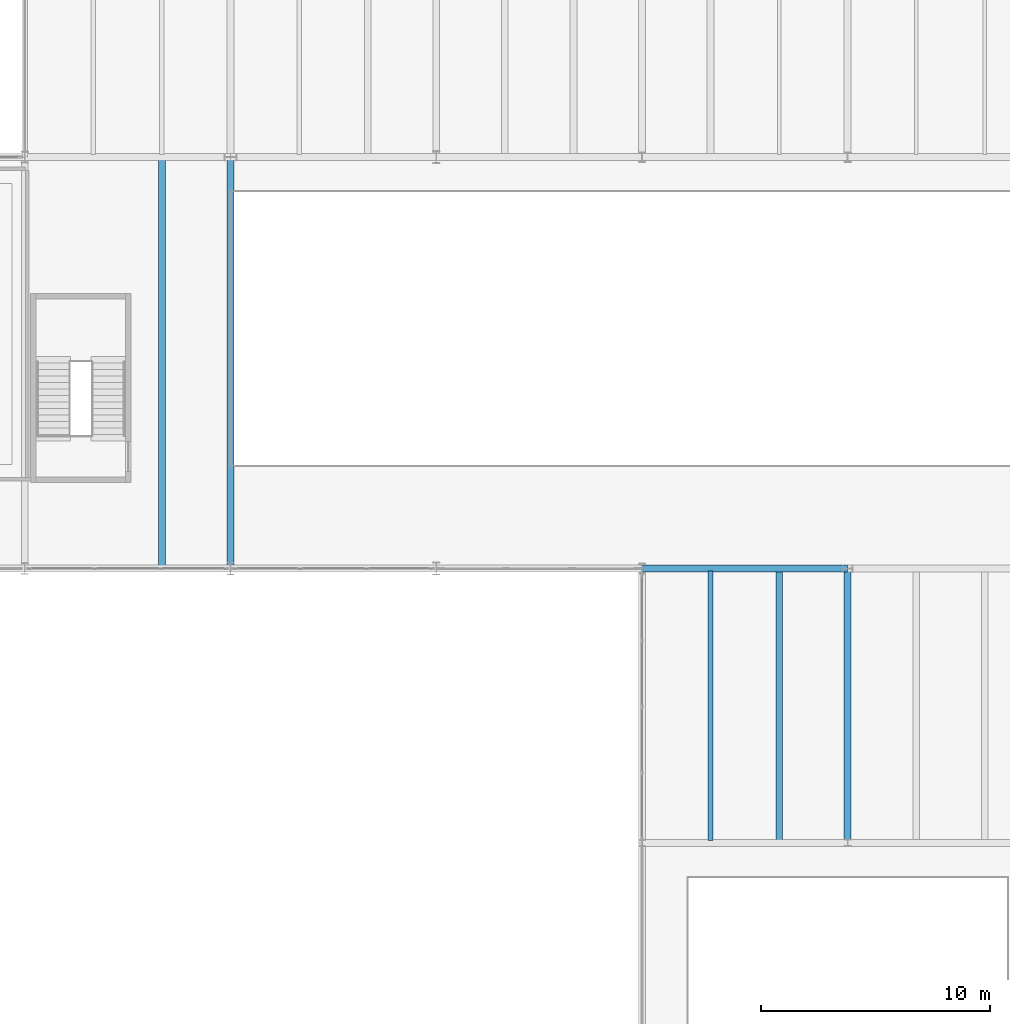
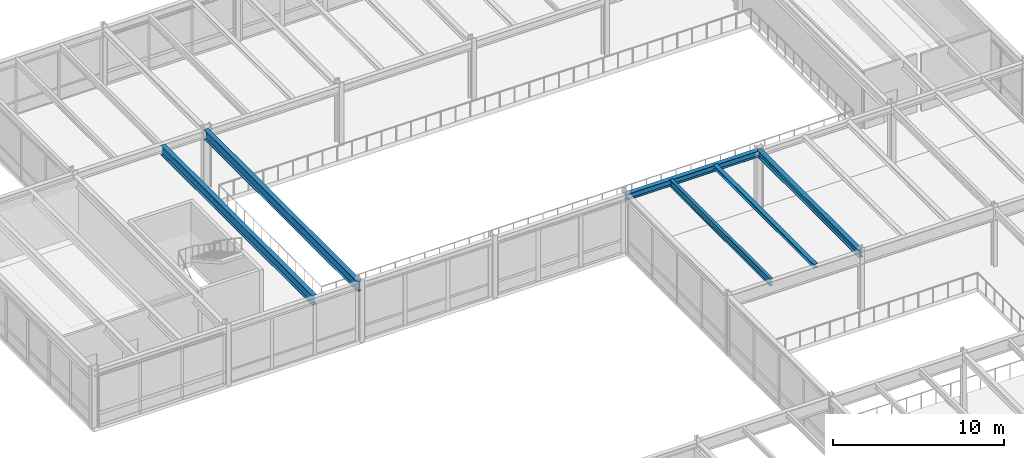
# One storey, part 55 of 127: 6 beams.
"""IFC4 building model written with IfcOpenShell, lengths in metres."""

from ifc_helpers import new_model, si_unit, direction, frame, origin, origin_2d, place, context, subcontext, project, spatial, i_section, extrude, material, material_profile, profile_set, type_object, element, save


model = new_model("IFC4")

# Units and contexts
model_context = context("Model", 3, precision=1e-05, world=origin(), true_north=direction((0.0, 1.0)))
body_context = subcontext(model_context, "Body", "Model", "MODEL_VIEW")
ifc_project = project(units=[si_unit("LENGTHUNIT", "METRE"), si_unit("AREAUNIT", "SQUARE_METRE"), si_unit("VOLUMEUNIT", "CUBIC_METRE"), si_unit("PLANEANGLEUNIT", "RADIAN"), si_unit("MASSUNIT", "GRAM", prefix="KILO")], contexts=[model_context])

# Site, building, storey
site_placement = place(None, origin())
site = spatial("IfcSite", under=ifc_project, at=site_placement, CompositionType="ELEMENT")
building_placement = place(site_placement, origin())
building = spatial("IfcBuilding", under=site, at=building_placement, Name="Montelvaro Courts of Justice", CompositionType="ELEMENT")
storey_placement = place(building_placement, frame((0.0, 0.0, 5.39990234375)))
storey = spatial("IfcBuildingStorey", under=building, at=storey_placement, Name="L01", CompositionType="ELEMENT", Elevation=5.39990234375)

# Beams
ifc_material = material(Name="Steel S355", Category="steel")
ifc_material_profile_1 = material_profile(ifc_material, i_section(OverallWidth=0.280029296875, OverallDepth=0.27001953125, WebThickness=0.008056640625, FlangeThickness=0.012939453125, at=origin_2d()), Name="HEA 280")
ifc_profile_set_1 = profile_set([ifc_material_profile_1], Name="Steel S355")
beam_type_1 = type_object("IfcBeamType", Name="Beam_HEA280", PredefinedType="BEAM", material=ifc_profile_set_1)
beam_1_placement = place(storey_placement, frame((60.0, 66.110107421875, 4.085205078125), z_axis=(0.0, 1.0, 0.0), x_axis=(-1.0, 0.0, 0.0)))
element("IfcBeam", 1, at=beam_1_placement, inside=storey, type_object=beam_type_1, Name="Beam B-14 L01", PredefinedType="BEAM", context=body_context, shape_type="SweptSolid", body=[
    extrude(i_section(OverallWidth=0.280029296875, OverallDepth=0.27001953125, WebThickness=0.008056640625, FlangeThickness=0.012939453125, at=origin_2d()), origin(), (0.0, 0.0, 1.0), 11.77978515625),
])
ifc_material_profile_2 = material_profile(ifc_material, i_section(OverallWidth=0.300048828125, OverallDepth=0.43994140625, WebThickness=0.011474609375, FlangeThickness=0.02099609375, at=origin_2d()), Name="HEA 450")
ifc_profile_set_2 = profile_set([ifc_material_profile_2], Name="Steel S355")
beam_type_2 = type_object("IfcBeamType", Name="Beam_HEA450", PredefinedType="USERDEFINED", material=ifc_profile_set_2)
beam_2_placement = place(storey_placement, frame((54.0, 78.0, 3.960205078125), z_axis=(1.0, 0.0, 0.0), x_axis=(0.0, 1.0, 0.0)))
element("IfcBeam", 2, at=beam_2_placement, inside=storey, type_object=beam_type_2, Name="Beam B-18 L01", ObjectType="GIRDER", PredefinedType="USERDEFINED", context=body_context, shape_type="SweptSolid", body=[
    extrude(i_section(OverallWidth=0.300048828125, OverallDepth=0.43994140625, WebThickness=0.011474609375, FlangeThickness=0.02099609375, at=origin_2d()), origin(), (0.0, 0.0, 1.0), 9.0),
])
ifc_material_profile_3 = material_profile(ifc_material, i_section(OverallWidth=0.300048828125, OverallDepth=0.489990234375, WebThickness=0.011962890625, FlangeThickness=0.02294921875, at=origin_2d()), Name="HEA 500")
ifc_profile_set_3 = profile_set([ifc_material_profile_3], Name="Steel S355")
beam_type_3 = type_object("IfcBeamType", Name="Beam_HEA500", PredefinedType="USERDEFINED", material=ifc_profile_set_3)
beam_3_placement = place(storey_placement, frame((63.0, 66.0, 3.97509765625), z_axis=(0.0, 1.0, 0.0), x_axis=(-1.0, 0.0, 0.0)))
element("IfcBeam", 3, at=beam_3_placement, inside=storey, type_object=beam_type_3, Name="Beam B-19 L01", ObjectType="GIRDER", PredefinedType="USERDEFINED", context=body_context, shape_type="SweptSolid", body=[
    extrude(i_section(OverallWidth=0.300048828125, OverallDepth=0.489990234375, WebThickness=0.011962890625, FlangeThickness=0.02294921875, at=origin_2d()), origin(), (0.0, 0.0, 1.0), 12.0),
])
ifc_material_profile_4 = material_profile(ifc_material, i_section(OverallWidth=0.300048828125, OverallDepth=0.68994140625, WebThickness=0.014404296875, FlangeThickness=0.027099609375, at=origin_2d()), Name="HEA 700")
ifc_profile_set_4 = profile_set([ifc_material_profile_4], Name="Steel S355")
beam_type_4 = type_object("IfcBeamType", Name="Beam_HEA700", PredefinedType="USERDEFINED", material=ifc_profile_set_4)
beam_4_placement = place(storey_placement, frame((33.0, 78.110107421875, 3.835205078125), z_axis=(0.0, 1.0, 0.0), x_axis=(-1.0, 0.0, 0.0)))
element("IfcBeam", 4, at=beam_4_placement, inside=storey, type_object=beam_type_4, Name="Beam B-23 L01", ObjectType="GIRDER", PredefinedType="USERDEFINED", context=body_context, shape_type="SweptSolid", body=[
    extrude(i_section(OverallWidth=0.300048828125, OverallDepth=0.68994140625, WebThickness=0.014404296875, FlangeThickness=0.027099609375, at=origin_2d()), origin(), (0.0, 0.0, 1.0), 17.77978515625),
])
ifc_material_profile_5 = material_profile(ifc_material, i_section(OverallWidth=0.300048828125, OverallDepth=0.699951171875, WebThickness=0.01708984375, FlangeThickness=0.031982421875, at=origin_2d()), Name="HEB 700")
ifc_profile_set_5 = profile_set([ifc_material_profile_5], Name="Steel S355")
beam_type_5 = type_object("IfcBeamType", Name="Beam_HEB700", PredefinedType="USERDEFINED", material=ifc_profile_set_5)
beam_5_placement = place(storey_placement, frame((36.0, 78.0, 3.830078125), z_axis=(0.0, 1.0, 0.0), x_axis=(-1.0, 0.0, 0.0)))
element("IfcBeam", 5, at=beam_5_placement, inside=storey, type_object=beam_type_5, Name="Beam B-28 L01", ObjectType="GIRDER", PredefinedType="USERDEFINED", context=body_context, shape_type="SweptSolid", body=[
    extrude(i_section(OverallWidth=0.300048828125, OverallDepth=0.699951171875, WebThickness=0.01708984375, FlangeThickness=0.031982421875, at=origin_2d()), origin(), (0.0, 0.0, 1.0), 18.0),
])
ifc_material_profile_6 = material_profile(ifc_material, i_section(OverallWidth=0.199951171875, OverallDepth=0.5, WebThickness=0.01025390625, FlangeThickness=0.01611328125, at=origin_2d()), Name="IPE 500")
ifc_profile_set_6 = profile_set([ifc_material_profile_6], Name="Steel S355")
beam_type_6 = type_object("IfcBeamType", Name="Beam_IPE500", PredefinedType="BEAM", material=ifc_profile_set_6)
beam_6_placement = place(storey_placement, frame((57.0, 66.110107421875, 3.97021484375), z_axis=(0.0, 1.0, 0.0), x_axis=(-1.0, 0.0, 0.0)))
element("IfcBeam", 6, at=beam_6_placement, inside=storey, type_object=beam_type_6, Name="Beam B-10 L01", PredefinedType="BEAM", context=body_context, shape_type="SweptSolid", body=[
    extrude(i_section(OverallWidth=0.199951171875, OverallDepth=0.5, WebThickness=0.01025390625, FlangeThickness=0.01611328125, at=origin_2d()), origin(), (0.0, 0.0, 1.0), 11.77978515625),
])

save(model, "model.ifc")
